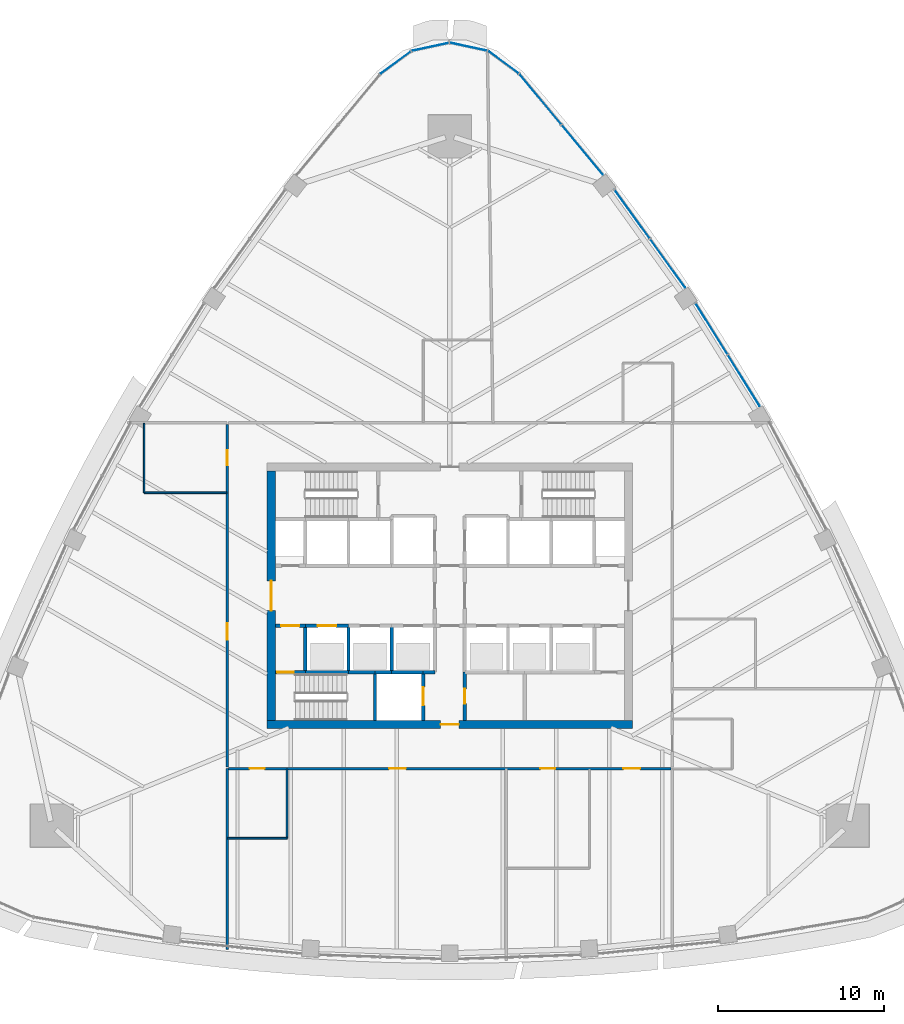
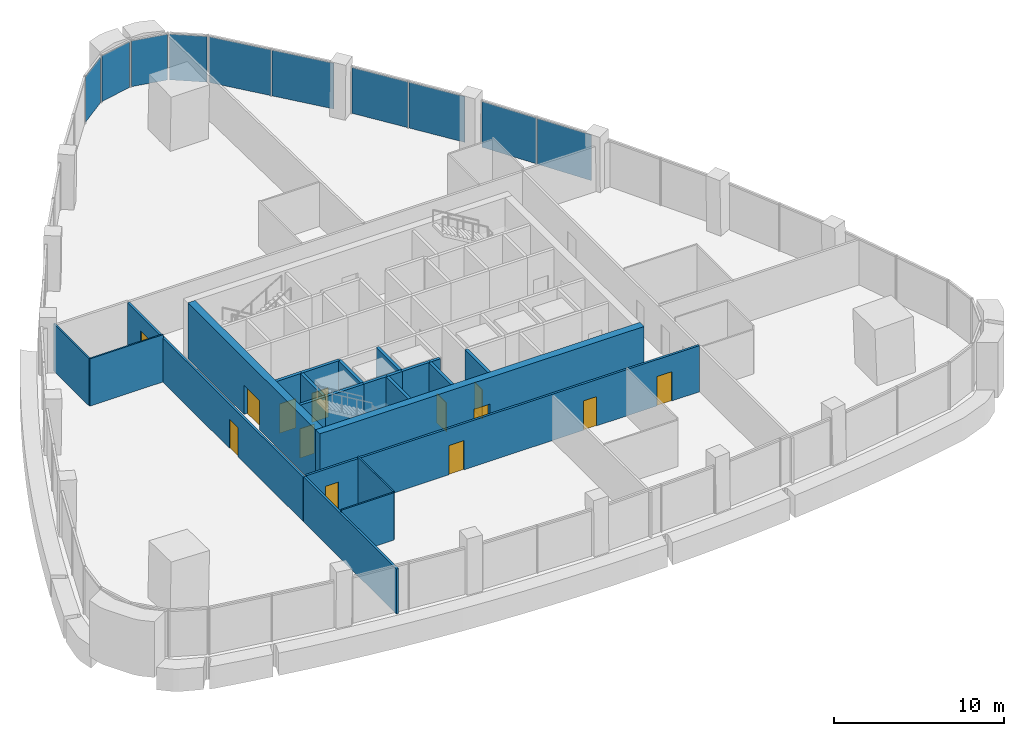
# One storey, part 9 of 16: 23 walls, 13 doors, 10 plates, 13 openings, 7 elements without a shape of their own.
"""IFC4 building model written with IfcOpenShell, lengths in metres."""

from ifc_helpers import new_model, si_unit, direction, frame, frame_2d, origin, origin_2d, place, context, subcontext, project, spatial, rectangle, extrude, material, layer, layer_set, type_object, element, fill, aggregate, save


model = new_model("IFC4")

# Units and contexts
model_context = context("Model", 3, precision=1e-05, world=origin(), true_north=direction((0.0, 1.0)))
body_context = subcontext(model_context, "Body", "Model", "MODEL_VIEW")
ifc_project = project(units=[si_unit("LENGTHUNIT", "METRE"), si_unit("AREAUNIT", "SQUARE_METRE"), si_unit("VOLUMEUNIT", "CUBIC_METRE"), si_unit("PLANEANGLEUNIT", "RADIAN"), si_unit("MASSUNIT", "GRAM", prefix="KILO")], contexts=[model_context])

# Site, building, storey
site_placement = place(None, origin())
site = spatial("IfcSite", under=ifc_project, at=site_placement, CompositionType="ELEMENT")
building_placement = place(site_placement, origin())
building = spatial("IfcBuilding", under=site, at=building_placement, Name="Sierra Prisma Convention Tower", CompositionType="ELEMENT")
storey_placement = place(building_placement, frame((0.0, 0.0, 165.800048828125)))
storey = spatial("IfcBuildingStorey", under=building, at=storey_placement, Name="L36", CompositionType="ELEMENT", Elevation=165.800048828125)

# Curtain wall, plates
ifc_material_1 = material(Name="Aluminium and glass curtain wall", Category="aluminium")
ifc_layer_1 = layer(ifc_material_1, 0.179931640625)
ifc_layer_set_1 = layer_set([ifc_layer_1], Name="CW-1 Plain shaft curtain wall")
curtain_wall_type = type_object("IfcCurtainWallType", Name="CW-1 Plain shaft curtain wall", PredefinedType="NOTDEFINED", material=ifc_layer_set_1)
curtain_wall_1_placement = place(storey_placement, origin())
curtain_wall_1 = element("IfcCurtainWall", 1, at=curtain_wall_1_placement, inside=storey, type_object=curtain_wall_type, Name="CW-1 NE4 L36", PredefinedType="NOTDEFINED")
ifc_material_2 = material(Name="Tinted glass bronze-grey IGU", Category="glass")
ifc_layer_2 = layer(ifc_material_2, 0.028076171875)
ifc_layer_set_2 = layer_set([ifc_layer_2], Name="CW-1 glass panel")
plate_type = type_object("IfcPlateType", Name="CW-1 glass panel", PredefinedType="CURTAIN_PANEL", material=ifc_layer_set_2)
plate_1_placement = place(storey_placement, frame((17.694091796875, 12.950439453125, 0.0), z_axis=(0.0, 0.0, 1.0), x_axis=(-0.528890980973, 0.848689772676, 0.0)))
plate_1 = element("IfcPlate", 2, at=plate_1_placement, type_object=plate_type, Name="CW-1 panel NE4.1", PredefinedType="CURTAIN_PANEL", context=body_context, shape_type="SweptSolid", body=[
    extrude(rectangle(XDim=3.599609375, YDim=0.028076171875, at=origin_2d()), origin(), (0.0, 0.0, 1.0), 3.280029296875),
])
plate_2_placement = place(storey_placement, frame((15.753173828125, 16.06494140625, 0.0), z_axis=(0.0, 0.0, 1.0), x_axis=(-0.528890980973, 0.848689772676, 0.0)))
plate_2 = element("IfcPlate", 3, at=plate_2_placement, type_object=plate_type, Name="CW-1 panel NE4.2", PredefinedType="CURTAIN_PANEL", context=body_context, shape_type="SweptSolid", body=[
    extrude(rectangle(XDim=3.599609375, YDim=0.028076171875, at=origin_2d()), origin(), (0.0, 0.0, 1.0), 3.280029296875),
])
aggregate(curtain_wall_1, [plate_1, plate_2])

curtain_wall_2_placement = place(storey_placement, origin())
curtain_wall_2 = element("IfcCurtainWall", 4, at=curtain_wall_2_placement, inside=storey, type_object=curtain_wall_type, Name="CW-1 NE5 L36", PredefinedType="NOTDEFINED")
plate_3_placement = place(storey_placement, frame((13.11181640625, 20.002685546875, 0.0), z_axis=(0.0, 0.0, 1.0), x_axis=(-0.584839615532, 0.811148953093, 0.0)))
plate_3 = element("IfcPlate", 5, at=plate_3_placement, type_object=plate_type, Name="CW-1 panel NE5.1", PredefinedType="CURTAIN_PANEL", context=body_context, shape_type="SweptSolid", body=[
    extrude(rectangle(XDim=3.584228515625, YDim=0.028076171875, at=origin_2d()), origin(), (0.0, 0.0, 1.0), 3.280029296875),
])
plate_4_placement = place(storey_placement, frame((10.974609375, 22.966796875, 0.0), z_axis=(0.0, 0.0, 1.0), x_axis=(-0.584839615532, 0.811148953093, 0.0)))
plate_4 = element("IfcPlate", 6, at=plate_4_placement, type_object=plate_type, Name="CW-1 panel NE5.2", PredefinedType="CURTAIN_PANEL", context=body_context, shape_type="SweptSolid", body=[
    extrude(rectangle(XDim=3.584228515625, YDim=0.028076171875, at=origin_2d()), origin(), (0.0, 0.0, 1.0), 3.280029296875),
])
aggregate(curtain_wall_2, [plate_3, plate_4])

curtain_wall_3_placement = place(storey_placement, origin())
curtain_wall_3 = element("IfcCurtainWall", 7, at=curtain_wall_3_placement, inside=storey, type_object=curtain_wall_type, Name="CW-1 NE6 L36", PredefinedType="NOTDEFINED")
plate_5_placement = place(storey_placement, frame((7.97412109375, 26.8408203125, 0.0), z_axis=(0.0, 0.0, 1.0), x_axis=(-0.63813333389, 0.769925871873, 0.0)))
plate_5 = element("IfcPlate", 8, at=plate_5_placement, type_object=plate_type, Name="CW-1 panel NE6.1", PredefinedType="CURTAIN_PANEL", context=body_context, shape_type="SweptSolid", body=[
    extrude(rectangle(XDim=3.855712890625, YDim=0.028076171875, at=origin_2d()), origin(), (0.0, 0.0, 1.0), 3.280029296875),
])
plate_6_placement = place(storey_placement, frame((5.468994140625, 29.86328125, 0.0), z_axis=(0.0, 0.0, 1.0), x_axis=(-0.63813333389, 0.769925871873, 0.0)))
plate_6 = element("IfcPlate", 9, at=plate_6_placement, type_object=plate_type, Name="CW-1 panel NE6.2", PredefinedType="CURTAIN_PANEL", context=body_context, shape_type="SweptSolid", body=[
    extrude(rectangle(XDim=3.855712890625, YDim=0.028076171875, at=origin_2d()), origin(), (0.0, 0.0, 1.0), 3.280029296875),
])
aggregate(curtain_wall_3, [plate_5, plate_6])

# Curtain wall, plate
curtain_wall_4_placement = place(storey_placement, origin())
curtain_wall_4 = element("IfcCurtainWall", 10, at=curtain_wall_4_placement, inside=storey, type_object=curtain_wall_type, Name="CW-1 N1 L36", PredefinedType="NOTDEFINED")
plate_7_placement = place(storey_placement, frame((3.24658203125, 32.097900390625, 0.0), z_axis=(0.0, 0.0, 1.0), x_axis=(-0.805799008561, 0.59218912334, 0.0)))
plate_7 = element("IfcPlate", 11, at=plate_7_placement, type_object=plate_type, Name="CW-1 panel N1.1", PredefinedType="CURTAIN_PANEL", context=body_context, shape_type="SweptSolid", body=[
    extrude(rectangle(XDim=2.21142578125, YDim=0.028076171875, at=origin_2d()), origin(), (0.0, 0.0, 1.0), 3.280029296875),
])
aggregate(curtain_wall_4, [plate_7])

curtain_wall_5_placement = place(storey_placement, origin())
curtain_wall_5 = element("IfcCurtainWall", 12, at=curtain_wall_5_placement, inside=storey, type_object=curtain_wall_type, Name="CW-1 N2 L36", PredefinedType="NOTDEFINED")
plate_8_placement = place(storey_placement, frame((1.149658203125, 33.04052734375, 0.0), z_axis=(0.0, 0.0, 1.0), x_axis=(-0.977767978799, 0.209689722292, 0.0)))
plate_8 = element("IfcPlate", 13, at=plate_8_placement, type_object=plate_type, Name="CW-1 panel N2.1", PredefinedType="CURTAIN_PANEL", context=body_context, shape_type="SweptSolid", body=[
    extrude(rectangle(XDim=2.21142578125, YDim=0.028076171875, at=origin_2d()), origin(), (0.0, 0.0, 1.0), 3.280029296875),
])
aggregate(curtain_wall_5, [plate_8])

curtain_wall_6_placement = place(storey_placement, origin())
curtain_wall_6 = element("IfcCurtainWall", 14, at=curtain_wall_6_placement, inside=storey, type_object=curtain_wall_type, Name="CW-1 N3 L36", PredefinedType="NOTDEFINED")
plate_9_placement = place(storey_placement, frame((-1.149658203125, 33.04052734375, 0.0), z_axis=(0.0, 0.0, 1.0), x_axis=(-0.977767978799, -0.209689722292, 0.0)))
plate_9 = element("IfcPlate", 15, at=plate_9_placement, type_object=plate_type, Name="CW-1 panel N3.1", PredefinedType="CURTAIN_PANEL", context=body_context, shape_type="SweptSolid", body=[
    extrude(rectangle(XDim=2.21142578125, YDim=0.028076171875, at=origin_2d()), origin(), (0.0, 0.0, 1.0), 3.280029296875),
])
aggregate(curtain_wall_6, [plate_9])

curtain_wall_7_placement = place(storey_placement, origin())
curtain_wall_7 = element("IfcCurtainWall", 16, at=curtain_wall_7_placement, inside=storey, type_object=curtain_wall_type, Name="CW-1 N4 L36", PredefinedType="NOTDEFINED")
plate_10_placement = place(storey_placement, frame((-3.24658203125, 32.097900390625, 0.0), z_axis=(0.0, 0.0, 1.0), x_axis=(-0.805799008561, -0.59218912334, 0.0)))
plate_10 = element("IfcPlate", 17, at=plate_10_placement, type_object=plate_type, Name="CW-1 panel N4.1", PredefinedType="CURTAIN_PANEL", context=body_context, shape_type="SweptSolid", body=[
    extrude(rectangle(XDim=2.21142578125, YDim=0.028076171875, at=origin_2d()), origin(), (0.0, 0.0, 1.0), 3.280029296875),
])
aggregate(curtain_wall_7, [plate_10])

# Walls
ifc_material_3 = material(Name="Gypsum board partition", Category="gypsum")
ifc_layer_3 = layer(ifc_material_3, 0.10009765625)
ifc_layer_set_3 = layer_set([ifc_layer_3], Name="Bathroom partition 100")
wall_type_1 = type_object("IfcWallType", Name="Bathroom partition 100", PredefinedType="PARTITIONING", material=ifc_layer_set_3)
wall_1_placement = place(storey_placement, frame((-13.429931640625, 6.199951171875, 0.0), z_axis=(0.0, 0.0, 1.0), x_axis=(-1.0, 0.0, 0.0)))
element("IfcWall", 18, at=wall_1_placement, inside=storey, type_object=wall_type_1, Name="Partition L36 bath 1", PredefinedType="PARTITIONING", context=body_context, shape_type="SweptSolid", body=[
    extrude(rectangle(XDim=4.969970703125, YDim=0.10009765625, at=frame_2d((2.48486328125, 0.0))), origin(), (0.0, 0.0, 1.0), 3.39306640625),
])
wall_2_placement = place(storey_placement, frame((-18.39990234375, 6.199951171875, 0.0), z_axis=(0.0, 0.0, 1.0), x_axis=(0.0, 1.0, 0.0)))
element("IfcWall", 19, at=wall_2_placement, inside=storey, type_object=wall_type_1, Name="Partition L36 bath 2", PredefinedType="PARTITIONING", context=body_context, shape_type="SweptSolid", body=[
    extrude(rectangle(XDim=4.170166015625, YDim=0.10009765625, at=frame_2d((2.0849609375, 0.0))), origin(), (0.0, 0.0, 1.0), 3.39306640625),
])
wall_3_placement = place(storey_placement, frame((-9.800048828125, -10.429931640625, 0.0), z_axis=(0.0, 0.0, 1.0), x_axis=(0.0, -1.0, 0.0)))
element("IfcWall", 20, at=wall_3_placement, inside=storey, type_object=wall_type_1, Name="Partition L36 bath 3", PredefinedType="PARTITIONING", context=body_context, shape_type="SweptSolid", body=[
    extrude(rectangle(XDim=4.170166015625, YDim=0.10009765625, at=frame_2d((2.0849609375, 0.0))), origin(), (0.0, 0.0, 1.0), 3.449951171875),
])
wall_4_placement = place(storey_placement, frame((-9.800048828125, -14.60009765625, 0.0), z_axis=(0.0, 0.0, 1.0), x_axis=(-1.0, 0.0, 0.0)))
element("IfcWall", 21, at=wall_4_placement, inside=storey, type_object=wall_type_1, Name="Partition L36 bath 4", PredefinedType="PARTITIONING", context=body_context, shape_type="SweptSolid", body=[
    extrude(rectangle(XDim=3.570068359375, YDim=0.10009765625, at=frame_2d((1.78515625, 0.0))), origin(), (0.0, 0.0, 1.0), 3.39306640625),
])

# Wall, opening, door
ifc_material_4 = material(Name="Concrete C30/37", Category="concrete")
ifc_layer_4 = layer(ifc_material_4, 0.199951171875)
ifc_layer_set_4 = layer_set([ifc_layer_4], Name="Core wall RC 200 C30/37")
wall_type_2 = type_object("IfcWallType", Name="Core wall RC 200 C30/37", PredefinedType="SOLIDWALL", material=ifc_layer_set_4)
wall_5_placement = place(storey_placement, frame((-10.5, -4.60009765625, 0.0), z_axis=(0.0, 0.0, 1.0), x_axis=(1.0, 0.0, 0.0)))
wall_5 = element("IfcWall", 22, at=wall_5_placement, inside=storey, type_object=wall_type_2, Name="Core wall L36 1", PredefinedType="SOLIDWALL", context=body_context, shape_type="SweptSolid", body=[
    extrude(rectangle(XDim=1.800048828125, YDim=0.199951171875, at=frame_2d((0.89990234375, 0.0))), origin(), (0.0, 0.0, 1.0), 3.849853515625),
])
opening_1_placement = place(wall_5_placement, frame((0.10009765625, 0.0, 0.0)))
opening_1 = element("IfcOpeningElement", 23, at=opening_1_placement, cuts=wall_5, Name="Opening L36-D017", PredefinedType="OPENING", context=body_context, shape_type="SweptSolid", body=[
    extrude(rectangle(XDim=1.0, YDim=2.10009765625, at=frame_2d((0.5, 1.050048828125))), frame((0.0, 0.10009765625, 0.0), z_axis=(0.0, -1.0, 0.0), x_axis=(1.0, 0.0, 0.0)), (0.0, 0.0, 1.0), 0.199951171875),
])
ifc_material_5 = material(Name="Steel fire door leaf", Category="steel")
door_type_1 = type_object("IfcDoorType", Name="Door 1000x2100 FD90S", OperationType="SINGLE_SWING_LEFT", PredefinedType="DOOR", material=ifc_material_5)
door_1_placement = place(opening_1_placement, origin())
door_1 = element("IfcDoor", 24, at=door_1_placement, inside=storey, type_object=door_type_1, Name="Door L36 31", OperationType="SINGLE_SWING_LEFT", OverallHeight=2.10009765625, OverallWidth=1.0, PredefinedType="DOOR", context=body_context, shape_type="SweptSolid", body=[
    extrude(rectangle(XDim=1.0, YDim=2.10009765625, at=frame_2d((0.5, 1.050048828125))), frame((0.0, 0.02490234375, 0.0), z_axis=(0.0, -1.0, 0.0), x_axis=(1.0, 0.0, 0.0)), (0.0, 0.0, 1.0), 0.050048828125),
])
fill(opening_1, door_1)

wall_6_placement = place(storey_placement, frame((-10.5, -1.800048828125, 0.0), z_axis=(0.0, 0.0, 1.0), x_axis=(1.0, 0.0, 0.0)))
wall_6 = element("IfcWall", 25, at=wall_6_placement, inside=storey, type_object=wall_type_2, Name="Core wall L36 2", PredefinedType="SOLIDWALL", context=body_context, shape_type="SweptSolid", body=[
    extrude(rectangle(XDim=1.800048828125, YDim=0.199951171875, at=frame_2d((0.89990234375, 0.0))), origin(), (0.0, 0.0, 1.0), 3.849853515625),
])
opening_2_placement = place(wall_6_placement, frame((0.35009765625, 0.0, 0.0)))
opening_2 = element("IfcOpeningElement", 26, at=opening_2_placement, cuts=wall_6, Name="Opening L36-D012", PredefinedType="OPENING", context=body_context, shape_type="SweptSolid", body=[
    extrude(rectangle(XDim=1.10009765625, YDim=2.10009765625, at=frame_2d((0.550048828125, 1.050048828125))), frame((0.0, 0.10009765625, 0.0), z_axis=(0.0, -1.0, 0.0), x_axis=(1.0, 0.0, 0.0)), (0.0, 0.0, 1.0), 0.199951171875),
])
ifc_material_6 = material(Name="Steel fire door leaf", Category="steel")
door_type_2 = type_object("IfcDoorType", Name="Door 1100x2100 FD90S", OperationType="SINGLE_SWING_LEFT", PredefinedType="DOOR", material=ifc_material_6)
door_2_placement = place(opening_2_placement, origin())
door_2 = element("IfcDoor", 27, at=door_2_placement, inside=storey, type_object=door_type_2, Name="Door L36 26", OperationType="SINGLE_SWING_RIGHT", OverallHeight=2.10009765625, OverallWidth=1.10009765625, PredefinedType="DOOR", context=body_context, shape_type="SweptSolid", body=[
    extrude(rectangle(XDim=1.10009765625, YDim=2.10009765625, at=frame_2d((0.550048828125, 1.050048828125))), frame((0.0, 0.02490234375, 0.0), z_axis=(0.0, -1.0, 0.0), x_axis=(1.0, 0.0, 0.0)), (0.0, 0.0, 1.0), 0.050048828125),
])
fill(opening_2, door_2)

# Walls
wall_7_placement = place(storey_placement, frame((-8.699951171875, -4.60009765625, 0.0), z_axis=(0.0, 0.0, 1.0), x_axis=(1.0, 0.0, 0.0)))
element("IfcWall", 28, at=wall_7_placement, inside=storey, type_object=wall_type_2, Name="Core wall L36 5", PredefinedType="SOLIDWALL", context=body_context, shape_type="SweptSolid", body=[
    extrude(rectangle(XDim=2.599853515625, YDim=0.199951171875, at=frame_2d((1.2998046875, 0.0))), origin(), (0.0, 0.0, 1.0), 3.849853515625),
])
wall_8_placement = place(storey_placement, frame((-8.699951171875, -4.60009765625, 0.0), z_axis=(0.0, 0.0, 1.0), x_axis=(0.0, 1.0, 0.0)))
element("IfcWall", 29, at=wall_8_placement, inside=storey, type_object=wall_type_2, Name="Core wall L36 6", PredefinedType="SOLIDWALL", context=body_context, shape_type="SweptSolid", body=[
    extrude(rectangle(XDim=2.800048828125, YDim=0.199951171875, at=frame_2d((1.39990234375, 0.0))), origin(), (0.0, 0.0, 1.0), 3.849853515625),
])

# Wall, opening, door
wall_9_placement = place(storey_placement, frame((-8.699951171875, -1.800048828125, 0.0), z_axis=(0.0, 0.0, 1.0), x_axis=(1.0, 0.0, 0.0)))
wall_9 = element("IfcWall", 30, at=wall_9_placement, inside=storey, type_object=wall_type_2, Name="Core wall L36 7", PredefinedType="SOLIDWALL", context=body_context, shape_type="SweptSolid", body=[
    extrude(rectangle(XDim=2.599853515625, YDim=0.199951171875, at=frame_2d((1.2998046875, 0.0))), origin(), (0.0, 0.0, 1.0), 3.849853515625),
])
opening_3_placement = place(wall_9_placement, frame((0.75, 0.0, 0.0)))
opening_3 = element("IfcOpeningElement", 31, at=opening_3_placement, cuts=wall_9, Name="Opening L36-D001", PredefinedType="OPENING", context=body_context, shape_type="SweptSolid", body=[
    extrude(rectangle(XDim=1.10009765625, YDim=2.10009765625, at=frame_2d((0.550048828125, 1.050048828125))), frame((0.0, 0.10009765625, 0.0), z_axis=(0.0, -1.0, 0.0), x_axis=(1.0, 0.0, 0.0)), (0.0, 0.0, 1.0), 0.199951171875),
])
ifc_material_7 = material(Name="Steel fire door leaf", Category="steel")
door_type_3 = type_object("IfcDoorType", Name="Door 1100x2100 EI 90 sliding lift landing", OperationType="SLIDING_TO_LEFT", PredefinedType="DOOR", material=ifc_material_7)
door_3_placement = place(opening_3_placement, origin())
door_3 = element("IfcDoor", 32, at=door_3_placement, inside=storey, type_object=door_type_3, Name="Door L36 15", OperationType="SLIDING_TO_LEFT", OverallHeight=2.10009765625, OverallWidth=1.10009765625, PredefinedType="DOOR", context=body_context, shape_type="SweptSolid", body=[
    extrude(rectangle(XDim=1.10009765625, YDim=2.10009765625, at=frame_2d((0.550048828125, 1.050048828125))), frame((0.0, 0.02490234375, 0.0), z_axis=(0.0, -1.0, 0.0), x_axis=(1.0, 0.0, 0.0)), (0.0, 0.0, 1.0), 0.050048828125),
])
fill(opening_3, door_3)

# Walls
wall_10_placement = place(storey_placement, frame((-6.10009765625, -4.60009765625, 0.0), z_axis=(0.0, 0.0, 1.0), x_axis=(1.0, 0.0, 0.0)))
element("IfcWall", 33, at=wall_10_placement, inside=storey, type_object=wall_type_2, Name="Core wall L36 11", PredefinedType="SOLIDWALL", context=body_context, shape_type="SweptSolid", body=[
    extrude(rectangle(XDim=1.60009765625, YDim=0.199951171875, at=frame_2d((0.800048828125, 0.0))), origin(), (0.0, 0.0, 1.0), 3.849853515625),
])
wall_11_placement = place(storey_placement, frame((-6.10009765625, -4.60009765625, 0.0), z_axis=(0.0, 0.0, 1.0), x_axis=(0.0, 1.0, 0.0)))
element("IfcWall", 34, at=wall_11_placement, inside=storey, type_object=wall_type_2, Name="Core wall L36 12", PredefinedType="SOLIDWALL", context=body_context, shape_type="SweptSolid", body=[
    extrude(rectangle(XDim=2.800048828125, YDim=0.199951171875, at=frame_2d((1.39990234375, 0.0))), origin(), (0.0, 0.0, 1.0), 3.849853515625),
])
wall_12_placement = place(storey_placement, frame((-4.5, -4.60009765625, 0.0), z_axis=(0.0, 0.0, 1.0), x_axis=(0.0, -1.0, 0.0)))
element("IfcWall", 35, at=wall_12_placement, inside=storey, type_object=wall_type_2, Name="Core wall L36 17", PredefinedType="SOLIDWALL", context=body_context, shape_type="SweptSolid", body=[
    extrude(rectangle(XDim=2.89990234375, YDim=0.199951171875, at=frame_2d((1.449951171875, 0.0))), origin(), (0.0, 0.0, 1.0), 3.849853515625),
])
wall_13_placement = place(storey_placement, frame((-4.5, -4.60009765625, 0.0), z_axis=(0.0, 0.0, 1.0), x_axis=(1.0, 0.0, 0.0)))
element("IfcWall", 36, at=wall_13_placement, inside=storey, type_object=wall_type_2, Name="Core wall L36 18", PredefinedType="SOLIDWALL", context=body_context, shape_type="SweptSolid", body=[
    extrude(rectangle(XDim=1.0, YDim=0.199951171875, at=frame_2d((0.5, 0.0))), origin(), (0.0, 0.0, 1.0), 3.849853515625),
])
wall_14_placement = place(storey_placement, frame((-3.5, -4.60009765625, 0.0), z_axis=(0.0, 0.0, 1.0), x_axis=(1.0, 0.0, 0.0)))
element("IfcWall", 37, at=wall_14_placement, inside=storey, type_object=wall_type_2, Name="Core wall L36 21", PredefinedType="SOLIDWALL", context=body_context, shape_type="SweptSolid", body=[
    extrude(rectangle(XDim=1.89990234375, YDim=0.199951171875, at=frame_2d((0.949951171875, 0.0))), origin(), (0.0, 0.0, 1.0), 3.849853515625),
])
wall_15_placement = place(storey_placement, frame((-3.5, -4.60009765625, 0.0), z_axis=(0.0, 0.0, 1.0), x_axis=(0.0, 1.0, 0.0)))
element("IfcWall", 38, at=wall_15_placement, inside=storey, type_object=wall_type_2, Name="Core wall L36 22", PredefinedType="SOLIDWALL", context=body_context, shape_type="SweptSolid", body=[
    extrude(rectangle(XDim=2.800048828125, YDim=0.199951171875, at=frame_2d((1.39990234375, 0.0))), origin(), (0.0, 0.0, 1.0), 3.849853515625),
])

# Wall, opening, door
wall_16_placement = place(storey_placement, frame((-1.60009765625, -7.5, 0.0), z_axis=(0.0, 0.0, 1.0), x_axis=(0.0, 1.0, 0.0)))
wall_16 = element("IfcWall", 39, at=wall_16_placement, inside=storey, type_object=wall_type_2, Name="Core wall L36 29", PredefinedType="SOLIDWALL", context=body_context, shape_type="SweptSolid", body=[
    extrude(rectangle(XDim=2.89990234375, YDim=0.199951171875, at=frame_2d((1.449951171875, 0.0))), origin(), (0.0, 0.0, 1.0), 3.849853515625),
])
opening_4_placement = place(wall_16_placement, frame((0.89990234375, 0.0, 0.0)))
opening_4 = element("IfcOpeningElement", 40, at=opening_4_placement, cuts=wall_16, Name="Opening L36-D009", PredefinedType="OPENING", context=body_context, shape_type="SweptSolid", body=[
    extrude(rectangle(XDim=1.10009765625, YDim=2.10009765625, at=frame_2d((0.550048828125, 1.050048828125))), frame((0.0, 0.10009765625, 0.0), z_axis=(0.0, -1.0, 0.0), x_axis=(1.0, 0.0, 0.0)), (0.0, 0.0, 1.0), 0.199951171875),
])
door_4_placement = place(opening_4_placement, origin())
door_4 = element("IfcDoor", 41, at=door_4_placement, inside=storey, type_object=door_type_3, Name="Door L36 23", OperationType="SLIDING_TO_LEFT", OverallHeight=2.10009765625, OverallWidth=1.10009765625, PredefinedType="DOOR", context=body_context, shape_type="SweptSolid", body=[
    extrude(rectangle(XDim=1.10009765625, YDim=2.10009765625, at=frame_2d((0.550048828125, 1.050048828125))), frame((0.0, 0.02490234375, 0.0), z_axis=(0.0, -1.0, 0.0), x_axis=(1.0, 0.0, 0.0)), (0.0, 0.0, 1.0), 0.050048828125),
])
fill(opening_4, door_4)

# Wall
wall_17_placement = place(storey_placement, frame((-1.60009765625, -4.60009765625, 0.0), z_axis=(0.0, 0.0, 1.0), x_axis=(1.0, 0.0, 0.0)))
element("IfcWall", 42, at=wall_17_placement, inside=storey, type_object=wall_type_2, Name="Core wall L36 30", PredefinedType="SOLIDWALL", context=body_context, shape_type="SweptSolid", body=[
    extrude(rectangle(XDim=0.7001953125, YDim=0.199951171875, at=frame_2d((0.35009765625, 0.0))), origin(), (0.0, 0.0, 1.0), 3.849853515625),
])

# Wall, opening, door
wall_18_placement = place(storey_placement, frame((0.89990234375, -4.60009765625, 0.0), z_axis=(0.0, 0.0, 1.0), x_axis=(0.0, -1.0, 0.0)))
wall_18 = element("IfcWall", 43, at=wall_18_placement, inside=storey, type_object=wall_type_2, Name="Core wall L36 35", PredefinedType="SOLIDWALL", context=body_context, shape_type="SweptSolid", body=[
    extrude(rectangle(XDim=2.89990234375, YDim=0.199951171875, at=frame_2d((1.449951171875, 0.0))), origin(), (0.0, 0.0, 1.0), 3.849853515625),
])
opening_5_placement = place(wall_18_placement, frame((1.0, 0.0, 0.0)))
opening_5 = element("IfcOpeningElement", 44, at=opening_5_placement, cuts=wall_18, Name="Opening L36-D022", PredefinedType="OPENING", context=body_context, shape_type="SweptSolid", body=[
    extrude(rectangle(XDim=0.89990234375, YDim=2.10009765625, at=frame_2d((0.449951171875, 1.050048828125))), frame((0.0, 0.10009765625, 0.0), z_axis=(0.0, -1.0, 0.0), x_axis=(1.0, 0.0, 0.0)), (0.0, 0.0, 1.0), 0.199951171875),
])
ifc_material_8 = material(Name="Steel fire door leaf", Category="steel")
door_type_4 = type_object("IfcDoorType", Name="Door 900x2100 FD30S", OperationType="SINGLE_SWING_LEFT", PredefinedType="DOOR", material=ifc_material_8)
door_5_placement = place(opening_5_placement, origin())
door_5 = element("IfcDoor", 45, at=door_5_placement, inside=storey, type_object=door_type_4, Name="Door L36 36", OperationType="SINGLE_SWING_RIGHT", OverallHeight=2.10009765625, OverallWidth=0.89990234375, PredefinedType="DOOR", context=body_context, shape_type="SweptSolid", body=[
    extrude(rectangle(XDim=0.89990234375, YDim=2.10009765625, at=frame_2d((0.449951171875, 1.050048828125))), frame((0.0, 0.02490234375, 0.0), z_axis=(0.0, -1.0, 0.0), x_axis=(1.0, 0.0, 0.0)), (0.0, 0.0, 1.0), 0.050048828125),
])
fill(opening_5, door_5)

ifc_material_9 = material(Name="Concrete C60/75", Category="concrete")
ifc_layer_5 = layer(ifc_material_9, 0.5)
ifc_layer_set_5 = layer_set([ifc_layer_5], Name="Core wall RC 500 C60/75")
wall_type_3 = type_object("IfcWallType", Name="Core wall RC 500 C60/75", PredefinedType="SHEAR", material=ifc_layer_set_5)
wall_19_placement = place(storey_placement, frame((-11.0, -7.75, 0.0), z_axis=(0.0, 0.0, 1.0), x_axis=(1.0, 0.0, 0.0)))
wall_19 = element("IfcWall", 46, at=wall_19_placement, inside=storey, type_object=wall_type_3, Name="Core wall S L36", PredefinedType="SHEAR", context=body_context, shape_type="SweptSolid", body=[
    extrude(rectangle(XDim=22.0, YDim=0.5, at=frame_2d((11.0, 0.0))), origin(), (0.0, 0.0, 1.0), 4.0),
])
opening_6_placement = place(wall_19_placement, frame((10.449951171875, 0.0, 0.0)))
opening_6 = element("IfcOpeningElement", 47, at=opening_6_placement, cuts=wall_19, Name="Opening L36-D039", PredefinedType="OPENING", context=body_context, shape_type="SweptSolid", body=[
    extrude(rectangle(XDim=1.10009765625, YDim=2.10009765625, at=frame_2d((0.550048828125, 1.050048828125))), frame((0.0, 0.25, 0.0), z_axis=(0.0, -1.0, 0.0), x_axis=(1.0, 0.0, 0.0)), (0.0, 0.0, 1.0), 0.5),
])
ifc_material_10 = material(Name="Steel fire door leaf", Category="steel")
door_type_5 = type_object("IfcDoorType", Name="Door 1100x2100 FD30S", OperationType="SINGLE_SWING_LEFT", PredefinedType="DOOR", material=ifc_material_10)
door_6_placement = place(opening_6_placement, origin())
door_6 = element("IfcDoor", 48, at=door_6_placement, inside=storey, type_object=door_type_5, Name="Door L36 40", OperationType="SINGLE_SWING_RIGHT", OverallHeight=2.10009765625, OverallWidth=1.10009765625, PredefinedType="DOOR", context=body_context, shape_type="SweptSolid", body=[
    extrude(rectangle(XDim=1.10009765625, YDim=2.10009765625, at=frame_2d((0.550048828125, 1.050048828125))), frame((0.0, 0.02490234375, 0.0), z_axis=(0.0, -1.0, 0.0), x_axis=(1.0, 0.0, 0.0)), (0.0, 0.0, 1.0), 0.050048828125),
])
fill(opening_6, door_6)

wall_20_placement = place(storey_placement, frame((-10.75, -7.5, 0.0), z_axis=(0.0, 0.0, 1.0), x_axis=(0.0, 1.0, 0.0)))
wall_20 = element("IfcWall", 49, at=wall_20_placement, inside=storey, type_object=wall_type_3, Name="Core wall W L36", PredefinedType="SHEAR", context=body_context, shape_type="SweptSolid", body=[
    extrude(rectangle(XDim=15.0, YDim=0.5, at=frame_2d((7.5, 0.0))), origin(), (0.0, 0.0, 1.0), 4.0),
])
opening_7_placement = place(wall_20_placement, frame((6.60009765625, 0.0, 0.0)))
opening_7 = element("IfcOpeningElement", 50, at=opening_7_placement, cuts=wall_20, Name="Opening L36-D040", PredefinedType="OPENING", context=body_context, shape_type="SweptSolid", body=[
    extrude(rectangle(XDim=1.800048828125, YDim=2.10009765625, at=frame_2d((0.89990234375, 1.050048828125))), frame((0.0, 0.25, 0.0), z_axis=(0.0, -1.0, 0.0), x_axis=(1.0, 0.0, 0.0)), (0.0, 0.0, 1.0), 0.5),
])
ifc_material_11 = material(Name="Steel fire door leaf", Category="steel")
door_type_6 = type_object("IfcDoorType", Name="Door 1800x2100 FD60S", OperationType="DOUBLE_DOOR_SINGLE_SWING", PredefinedType="DOOR", material=ifc_material_11)
door_7_placement = place(opening_7_placement, origin())
door_7 = element("IfcDoor", 51, at=door_7_placement, inside=storey, type_object=door_type_6, Name="Door L36 37", OperationType="DOUBLE_DOOR_SINGLE_SWING", OverallHeight=2.10009765625, OverallWidth=1.800048828125, PredefinedType="DOOR", context=body_context, shape_type="SweptSolid", body=[
    extrude(rectangle(XDim=1.800048828125, YDim=2.10009765625, at=frame_2d((0.89990234375, 1.050048828125))), frame((0.0, 0.02490234375, 0.0), z_axis=(0.0, -1.0, 0.0), x_axis=(1.0, 0.0, 0.0)), (0.0, 0.0, 1.0), 0.050048828125),
])
fill(opening_7, door_7)

# Wall, openings, doors
ifc_material_12 = material(Name="Gypsum board partition", Category="gypsum")
ifc_layer_6 = layer(ifc_material_12, 0.14990234375)
ifc_layer_set_6 = layer_set([ifc_layer_6], Name="Corridor wall 150 gypsum EI 60")
wall_type_4 = type_object("IfcWallType", Name="Corridor wall 150 gypsum EI 60", PredefinedType="PARTITIONING", material=ifc_layer_set_6)
wall_21_placement = place(storey_placement, frame((-13.39990234375, 10.320068359375, 0.0), z_axis=(0.0, 0.0, 1.0), x_axis=(0.0, -1.0, 0.0)))
wall_21 = element("IfcWall", 52, at=wall_21_placement, inside=storey, type_object=wall_type_4, Name="Partition L36 corr 1", PredefinedType="PARTITIONING", context=body_context, shape_type="SweptSolid", body=[
    extrude(rectangle(XDim=20.64013671875, YDim=0.14990234375, at=frame_2d((10.320068359375, 0.0))), origin(), (0.0, 0.0, 1.0), 3.166015625),
])
opening_8_placement = place(wall_21_placement, frame((1.570068359375, 0.0, 0.0)))
opening_8 = element("IfcOpeningElement", 53, at=opening_8_placement, cuts=wall_21, Name="Opening L36-D029", PredefinedType="OPENING", context=body_context, shape_type="SweptSolid", body=[
    extrude(rectangle(XDim=0.89990234375, YDim=2.10009765625, at=frame_2d((0.449951171875, 1.050048828125))), frame((0.0, 0.074951171875, 0.0), z_axis=(0.0, -1.0, 0.0), x_axis=(1.0, 0.0, 0.0)), (0.0, 0.0, 1.0), 0.14990234375),
])
opening_9_placement = place(wall_21_placement, frame((11.97998046875, 0.0, 0.0)))
opening_9 = element("IfcOpeningElement", 54, at=opening_9_placement, cuts=wall_21, Name="Opening L36-D030", PredefinedType="OPENING", context=body_context, shape_type="SweptSolid", body=[
    extrude(rectangle(XDim=1.0, YDim=2.10009765625, at=frame_2d((0.5, 1.050048828125))), frame((0.0, 0.074951171875, 0.0), z_axis=(0.0, -1.0, 0.0), x_axis=(1.0, 0.0, 0.0)), (0.0, 0.0, 1.0), 0.14990234375),
])
ifc_material_13 = material(Name="Steel fire door leaf", Category="steel")
door_type_7 = type_object("IfcDoorType", Name="Door 1000x2100 FD30S", OperationType="SINGLE_SWING_LEFT", PredefinedType="DOOR", material=ifc_material_13)
door_8_placement = place(opening_9_placement, origin())
door_8 = element("IfcDoor", 55, at=door_8_placement, inside=storey, type_object=door_type_7, Name="Door L36 8", OperationType="SINGLE_SWING_LEFT", OverallHeight=2.10009765625, OverallWidth=1.0, PredefinedType="DOOR", context=body_context, shape_type="SweptSolid", body=[
    extrude(rectangle(XDim=1.0, YDim=2.10009765625, at=frame_2d((0.5, 1.050048828125))), frame((0.0, 0.02490234375, 0.0), z_axis=(0.0, -1.0, 0.0), x_axis=(1.0, 0.0, 0.0)), (0.0, 0.0, 1.0), 0.050048828125),
])
fill(opening_9, door_8)
door_9_placement = place(opening_8_placement, origin())
door_9 = element("IfcDoor", 56, at=door_9_placement, inside=storey, type_object=door_type_4, Name="Door L36 7", OperationType="SINGLE_SWING_RIGHT", OverallHeight=2.10009765625, OverallWidth=0.89990234375, PredefinedType="DOOR", context=body_context, shape_type="SweptSolid", body=[
    extrude(rectangle(XDim=0.89990234375, YDim=2.10009765625, at=frame_2d((0.449951171875, 1.050048828125))), frame((0.0, 0.02490234375, 0.0), z_axis=(0.0, -1.0, 0.0), x_axis=(1.0, 0.0, 0.0)), (0.0, 0.0, 1.0), 0.050048828125),
])
fill(opening_8, door_9)

wall_22_placement = place(storey_placement, frame((-13.320068359375, -10.39990234375, 0.0), z_axis=(0.0, 0.0, 1.0), x_axis=(1.0, 0.0, 0.0)))
wall_22 = element("IfcWall", 57, at=wall_22_placement, inside=storey, type_object=wall_type_4, Name="Partition L36 corr 2", PredefinedType="PARTITIONING", context=body_context, shape_type="SweptSolid", body=[
    extrude(rectangle(XDim=26.64013671875, YDim=0.14990234375, at=frame_2d((13.320068359375, 0.0))), origin(), (0.0, 0.0, 1.0), 3.31689453125),
])
opening_10_placement = place(wall_22_placement, frame((1.27001953125, 0.0, 0.0)))
opening_10 = element("IfcOpeningElement", 58, at=opening_10_placement, cuts=wall_22, Name="Opening L36-D031", PredefinedType="OPENING", context=body_context, shape_type="SweptSolid", body=[
    extrude(rectangle(XDim=0.89990234375, YDim=2.10009765625, at=frame_2d((0.449951171875, 1.050048828125))), frame((0.0, 0.074951171875, 0.0), z_axis=(0.0, -1.0, 0.0), x_axis=(1.0, 0.0, 0.0)), (0.0, 0.0, 1.0), 0.14990234375),
])
opening_11_placement = place(wall_22_placement, frame((9.669921875, 0.0, 0.0)))
opening_11 = element("IfcOpeningElement", 59, at=opening_11_placement, cuts=wall_22, Name="Opening L36-D032", PredefinedType="OPENING", context=body_context, shape_type="SweptSolid", body=[
    extrude(rectangle(XDim=1.0, YDim=2.10009765625, at=frame_2d((0.5, 1.050048828125))), frame((0.0, 0.074951171875, 0.0), z_axis=(0.0, -1.0, 0.0), x_axis=(1.0, 0.0, 0.0)), (0.0, 0.0, 1.0), 0.14990234375),
])
opening_12_placement = place(wall_22_placement, frame((18.77001953125, 0.0, 0.0)))
opening_12 = element("IfcOpeningElement", 60, at=opening_12_placement, cuts=wall_22, Name="Opening L36-D033", PredefinedType="OPENING", context=body_context, shape_type="SweptSolid", body=[
    extrude(rectangle(XDim=0.89990234375, YDim=2.10009765625, at=frame_2d((0.449951171875, 1.050048828125))), frame((0.0, 0.074951171875, 0.0), z_axis=(0.0, -1.0, 0.0), x_axis=(1.0, 0.0, 0.0)), (0.0, 0.0, 1.0), 0.14990234375),
])
opening_13_placement = place(wall_22_placement, frame((23.77001953125, 0.0, 0.0)))
opening_13 = element("IfcOpeningElement", 61, at=opening_13_placement, cuts=wall_22, Name="Opening L36-D034", PredefinedType="OPENING", context=body_context, shape_type="SweptSolid", body=[
    extrude(rectangle(XDim=1.0, YDim=2.10009765625, at=frame_2d((0.5, 1.050048828125))), frame((0.0, 0.074951171875, 0.0), z_axis=(0.0, -1.0, 0.0), x_axis=(1.0, 0.0, 0.0)), (0.0, 0.0, 1.0), 0.14990234375),
])
door_10_placement = place(opening_11_placement, origin())
door_10 = element("IfcDoor", 62, at=door_10_placement, inside=storey, type_object=door_type_7, Name="Door L36 10", OperationType="SINGLE_SWING_RIGHT", OverallHeight=2.10009765625, OverallWidth=1.0, PredefinedType="DOOR", context=body_context, shape_type="SweptSolid", body=[
    extrude(rectangle(XDim=1.0, YDim=2.10009765625, at=frame_2d((0.5, 1.050048828125))), frame((0.0, 0.02490234375, 0.0), z_axis=(0.0, -1.0, 0.0), x_axis=(1.0, 0.0, 0.0)), (0.0, 0.0, 1.0), 0.050048828125),
])
fill(opening_11, door_10)
door_11_placement = place(opening_13_placement, origin())
door_11 = element("IfcDoor", 63, at=door_11_placement, inside=storey, type_object=door_type_7, Name="Door L36 12", OperationType="SINGLE_SWING_LEFT", OverallHeight=2.10009765625, OverallWidth=1.0, PredefinedType="DOOR", context=body_context, shape_type="SweptSolid", body=[
    extrude(rectangle(XDim=1.0, YDim=2.10009765625, at=frame_2d((0.5, 1.050048828125))), frame((0.0, 0.02490234375, 0.0), z_axis=(0.0, -1.0, 0.0), x_axis=(1.0, 0.0, 0.0)), (0.0, 0.0, 1.0), 0.050048828125),
])
fill(opening_13, door_11)
door_12_placement = place(opening_10_placement, origin())
door_12 = element("IfcDoor", 64, at=door_12_placement, inside=storey, type_object=door_type_4, Name="Door L36 9", OperationType="SINGLE_SWING_RIGHT", OverallHeight=2.10009765625, OverallWidth=0.89990234375, PredefinedType="DOOR", context=body_context, shape_type="SweptSolid", body=[
    extrude(rectangle(XDim=0.89990234375, YDim=2.10009765625, at=frame_2d((0.449951171875, 1.050048828125))), frame((0.0, 0.02490234375, 0.0), z_axis=(0.0, -1.0, 0.0), x_axis=(1.0, 0.0, 0.0)), (0.0, 0.0, 1.0), 0.050048828125),
])
fill(opening_10, door_12)
door_13_placement = place(opening_12_placement, origin())
door_13 = element("IfcDoor", 65, at=door_13_placement, inside=storey, type_object=door_type_4, Name="Door L36 11", OperationType="SINGLE_SWING_RIGHT", OverallHeight=2.10009765625, OverallWidth=0.89990234375, PredefinedType="DOOR", context=body_context, shape_type="SweptSolid", body=[
    extrude(rectangle(XDim=0.89990234375, YDim=2.10009765625, at=frame_2d((0.449951171875, 1.050048828125))), frame((0.0, 0.02490234375, 0.0), z_axis=(0.0, -1.0, 0.0), x_axis=(1.0, 0.0, 0.0)), (0.0, 0.0, 1.0), 0.050048828125),
])
fill(opening_12, door_13)

# Wall
ifc_material_14 = material(Name="Gypsum board partition", Category="gypsum")
ifc_layer_7 = layer(ifc_material_14, 0.14990234375)
ifc_layer_set_7 = layer_set([ifc_layer_7], Name="Party wall 150 gypsum")
wall_type_5 = type_object("IfcWallType", Name="Party wall 150 gypsum", PredefinedType="PARTITIONING", material=ifc_layer_set_7)
wall_23_placement = place(storey_placement, frame((-13.39990234375, -10.39990234375, 0.0), z_axis=(0.0, 0.0, 1.0), x_axis=(0.0, -1.0, 0.0)))
element("IfcWall", 66, at=wall_23_placement, inside=storey, type_object=wall_type_5, Name="Partition L36 party 2", PredefinedType="PARTITIONING", context=body_context, shape_type="SweptSolid", body=[
    extrude(rectangle(XDim=10.8876953125, YDim=0.14990234375, at=frame_2d((5.44384765625, 0.0))), origin(), (0.0, 0.0, 1.0), 3.23388671875),
])

save(model, "model.ifc")
